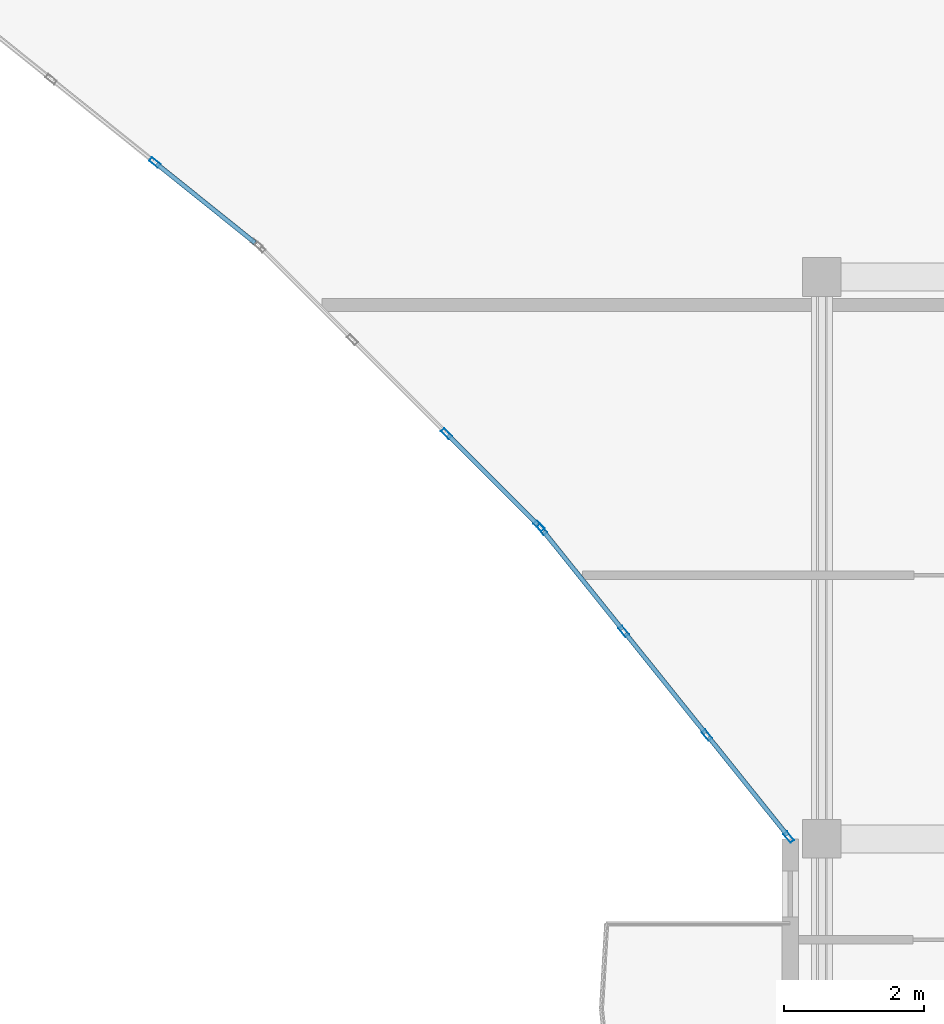
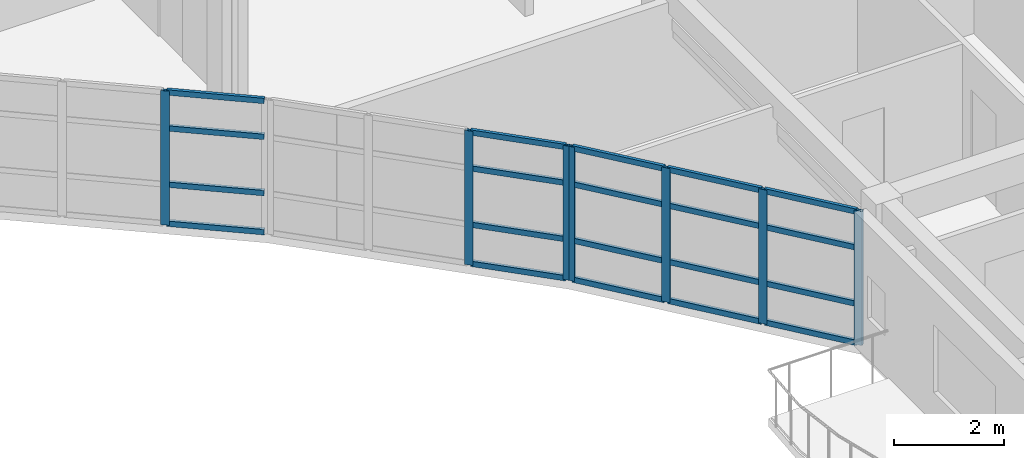
# One storey, part 16 of 54: 27 members, 3 elements without a shape of their own.
"""IFC4 building model written with IfcOpenShell, lengths in metres."""

from ifc_helpers import new_model, si_unit, direction, frame, origin, origin_2d, place, context, subcontext, project, spatial, hollow_rectangle, extrude, material, layer, layer_set, material_profile, profile_set, type_object, element, aggregate, save


model = new_model("IFC4")

# Units and contexts
model_context = context("Model", 3, precision=1e-05, world=origin(), true_north=direction((0.0, 1.0)))
body_context = subcontext(model_context, "Body", "Model", "MODEL_VIEW")
ifc_project = project(units=[si_unit("LENGTHUNIT", "METRE"), si_unit("AREAUNIT", "SQUARE_METRE"), si_unit("VOLUMEUNIT", "CUBIC_METRE"), si_unit("PLANEANGLEUNIT", "RADIAN"), si_unit("MASSUNIT", "GRAM", prefix="KILO")], contexts=[model_context])

# Site, building, storey
site_placement = place(None, origin())
site = spatial("IfcSite", under=ifc_project, at=site_placement, CompositionType="ELEMENT")
building_placement = place(site_placement, origin())
building = spatial("IfcBuilding", under=site, at=building_placement, Name="Keldmere Railside Commons", CompositionType="ELEMENT")
storey_placement = place(building_placement, frame((0.0, 0.0, 26.56005859375)))
storey = spatial("IfcBuildingStorey", under=building, at=storey_placement, Name="L08", CompositionType="ELEMENT", Elevation=26.56005859375)

# Curtain wall, member
ifc_material = material(Name="Thermally Broken Aluminium", Category="aluminium")
ifc_layer_1 = layer(ifc_material, 0.159912109375, Name="Court Chord Wintergarden CW 5400x2850")
ifc_layer_set_1 = layer_set([ifc_layer_1], Name="Thermally Broken Aluminium")
curtain_wall_type_1 = type_object("IfcCurtainWallType", Name="Court Chord Wintergarden CW 5400x2850", PredefinedType="NOTDEFINED", material=ifc_layer_set_1)
curtain_wall_1_placement = place(storey_placement, origin())
curtain_wall_1 = element("IfcCurtainWall", 1, at=curtain_wall_1_placement, inside=storey, type_object=curtain_wall_type_1, Name="CW-13 CW-L08-181", PredefinedType="NOTDEFINED")
ifc_material_profile_1 = material_profile(ifc_material, hollow_rectangle(XDim=0.06494140625, YDim=0.159912109375, WallThickness=0.00390625, at=origin_2d()), Name="ALU-MULL-65x160")
ifc_profile_set_1 = profile_set([ifc_material_profile_1], Name="Thermally Broken Aluminium")
member_type_1 = type_object("IfcMemberType", Name="Unitised Curtain Wall Mullion 65x160", PredefinedType="MULLION", material=ifc_profile_set_1)
member_1_placement = place(storey_placement, frame((158.953369140625, 97.630615234375, 0.0), z_axis=(0.0, 0.0, 1.0), x_axis=(-0.625768080915, -0.780009172323, 0.0)))
member_1 = element("IfcMember", 2, at=member_1_placement, type_object=member_type_1, Name="CW-13 mullion 2", PredefinedType="MULLION", context=body_context, shape_type="SweptSolid", body=[
    extrude(hollow_rectangle(XDim=0.06494140625, YDim=0.159912109375, WallThickness=0.00390625, at=origin_2d()), origin(), (0.0, 0.0, 1.0), 2.97998046875),
])

# Curtain wall, members
ifc_layer_2 = layer(ifc_material, 0.159912109375, Name="Court Chord Wintergarden CW 4800x2850")
ifc_layer_set_2 = layer_set([ifc_layer_2], Name="Thermally Broken Aluminium")
curtain_wall_type_2 = type_object("IfcCurtainWallType", Name="Court Chord Wintergarden CW 4800x2850", PredefinedType="NOTDEFINED", material=ifc_layer_set_2)
curtain_wall_2_placement = place(storey_placement, origin())
curtain_wall_2 = element("IfcCurtainWall", 3, at=curtain_wall_2_placement, inside=storey, type_object=curtain_wall_type_2, Name="CW-12 CW-L08-182", PredefinedType="NOTDEFINED")
member_2_placement = place(storey_placement, frame((164.423095703125, 92.452880859375, 0.0), z_axis=(0.0, 0.0, 1.0), x_axis=(-0.707106781187, -0.707106781187, 0.0)))
member_2 = element("IfcMember", 4, at=member_2_placement, type_object=member_type_1, Name="CW-12 mullion 1", PredefinedType="MULLION", context=body_context, shape_type="SweptSolid", body=[
    extrude(hollow_rectangle(XDim=0.06494140625, YDim=0.159912109375, WallThickness=0.00390625, at=origin_2d()), origin(), (0.0, 0.0, 1.0), 2.97998046875),
])
member_3_placement = place(storey_placement, frame((163.107421875, 93.7685546875, 0.0), z_axis=(0.0, 0.0, 1.0), x_axis=(-0.707106781187, -0.707106781187, 0.0)))
member_3 = element("IfcMember", 5, at=member_3_placement, type_object=member_type_1, Name="CW-12 mullion 2", PredefinedType="MULLION", context=body_context, shape_type="SweptSolid", body=[
    extrude(hollow_rectangle(XDim=0.06494140625, YDim=0.159912109375, WallThickness=0.00390625, at=origin_2d()), origin(), (0.0, 0.0, 1.0), 2.97998046875),
])

curtain_wall_3_placement = place(storey_placement, origin())
curtain_wall_3 = element("IfcCurtainWall", 6, at=curtain_wall_3_placement, inside=storey, type_object=curtain_wall_type_1, Name="CW-13 CW-L08-183", PredefinedType="NOTDEFINED")
member_4_placement = place(storey_placement, frame((167.979736328125, 88.025390625, 0.0), z_axis=(0.0, 0.0, 1.0), x_axis=(-0.780009172323, -0.625768080915, 0.0)))
member_4 = element("IfcMember", 7, at=member_4_placement, type_object=member_type_1, Name="CW-13 mullion 1", PredefinedType="MULLION", context=body_context, shape_type="SweptSolid", body=[
    extrude(hollow_rectangle(XDim=0.06494140625, YDim=0.159912109375, WallThickness=0.00390625, at=origin_2d()), origin(), (0.0, 0.0, 1.0), 2.97998046875),
])
member_5_placement = place(storey_placement, frame((166.8154296875, 89.4765625, 0.0), z_axis=(0.0, 0.0, 1.0), x_axis=(-0.780009172323, -0.625768080915, 0.0)))
member_5 = element("IfcMember", 8, at=member_5_placement, type_object=member_type_1, Name="CW-13 mullion 2", PredefinedType="MULLION", context=body_context, shape_type="SweptSolid", body=[
    extrude(hollow_rectangle(XDim=0.06494140625, YDim=0.159912109375, WallThickness=0.00390625, at=origin_2d()), origin(), (0.0, 0.0, 1.0), 2.97998046875),
])
member_6_placement = place(storey_placement, frame((165.630615234375, 90.953369140625, 0.0), z_axis=(0.0, 0.0, 1.0), x_axis=(-0.780009172323, -0.625768080915, 0.0)))
member_6 = element("IfcMember", 9, at=member_6_placement, type_object=member_type_1, Name="CW-13 mullion 3", PredefinedType="MULLION", context=body_context, shape_type="SweptSolid", body=[
    extrude(hollow_rectangle(XDim=0.06494140625, YDim=0.159912109375, WallThickness=0.00390625, at=origin_2d()), origin(), (0.0, 0.0, 1.0), 2.97998046875),
])
member_7_placement = place(storey_placement, frame((164.46630859375, 92.404541015625, 0.0), z_axis=(0.0, 0.0, 1.0), x_axis=(-0.780009172323, -0.625768080915, 0.0)))
member_7 = element("IfcMember", 10, at=member_7_placement, type_object=member_type_1, Name="CW-13 mullion 4", PredefinedType="MULLION", context=body_context, shape_type="SweptSolid", body=[
    extrude(hollow_rectangle(XDim=0.06494140625, YDim=0.159912109375, WallThickness=0.00390625, at=origin_2d()), origin(), (0.0, 0.0, 1.0), 2.97998046875),
])

# Member
ifc_material_profile_2 = material_profile(ifc_material, hollow_rectangle(XDim=0.06494140625, YDim=0.1201171875, WallThickness=0.00390625, at=origin_2d()), Name="ALU-TRAN-65x120")
ifc_profile_set_2 = profile_set([ifc_material_profile_2], Name="Thermally Broken Aluminium")
member_type_2 = type_object("IfcMemberType", Name="Unitised Curtain Wall Transom 65x120", PredefinedType="USERDEFINED", material=ifc_profile_set_2)
member_8_placement = place(storey_placement, frame((160.37939453125, 96.486572265625, 0.032470703125), z_axis=(-0.779979331565, 0.625805275091, 0.0), x_axis=(-0.625805275091, -0.779979331565, 0.0)))
member_8 = element("IfcMember", 11, at=member_8_placement, type_object=member_type_2, Name="CW-13 transom 1.1", ObjectType="TRANSOM", PredefinedType="USERDEFINED", context=body_context, shape_type="SweptSolid", body=[
    extrude(hollow_rectangle(XDim=0.06494140625, YDim=0.1201171875, WallThickness=0.00390625, at=origin_2d()), origin(), (0.0, 0.0, 1.0), 1.795654296875),
])

member_9_placement = place(storey_placement, frame((160.37939453125, 96.486572265625, 0.89990234375), z_axis=(-0.779979331565, 0.625805275091, 0.0), x_axis=(-0.625805275091, -0.779979331565, 0.0)))
member_9 = element("IfcMember", 12, at=member_9_placement, type_object=member_type_2, Name="CW-13 transom 1.2", ObjectType="TRANSOM", PredefinedType="USERDEFINED", context=body_context, shape_type="SweptSolid", body=[
    extrude(hollow_rectangle(XDim=0.06494140625, YDim=0.1201171875, WallThickness=0.00390625, at=origin_2d()), origin(), (0.0, 0.0, 1.0), 1.795654296875),
])

member_10_placement = place(storey_placement, frame((160.37939453125, 96.486572265625, 2.14990234375), z_axis=(-0.779979331565, 0.625805275091, 0.0), x_axis=(-0.625805275091, -0.779979331565, 0.0)))
member_10 = element("IfcMember", 13, at=member_10_placement, type_object=member_type_2, Name="CW-13 transom 1.3", ObjectType="TRANSOM", PredefinedType="USERDEFINED", context=body_context, shape_type="SweptSolid", body=[
    extrude(hollow_rectangle(XDim=0.06494140625, YDim=0.1201171875, WallThickness=0.00390625, at=origin_2d()), origin(), (0.0, 0.0, 1.0), 1.795654296875),
])

member_11_placement = place(storey_placement, frame((160.37939453125, 96.486572265625, 2.947509765625), z_axis=(-0.779979331565, 0.625805275091, 0.0), x_axis=(-0.625805275091, -0.779979331565, 0.0)))
member_11 = element("IfcMember", 14, at=member_11_placement, type_object=member_type_2, Name="CW-13 transom 1.4", ObjectType="TRANSOM", PredefinedType="USERDEFINED", context=body_context, shape_type="SweptSolid", body=[
    extrude(hollow_rectangle(XDim=0.06494140625, YDim=0.1201171875, WallThickness=0.00390625, at=origin_2d()), origin(), (0.0, 0.0, 1.0), 1.795654296875),
])

aggregate(curtain_wall_1, [member_1, member_8, member_9, member_10, member_11])

member_12_placement = place(storey_placement, frame((164.400146484375, 92.47607421875, 0.032470703125), z_axis=(-0.707174762418, 0.707038793419, 0.0), x_axis=(-0.707038793419, -0.707174762418, 0.0)))
member_12 = element("IfcMember", 15, at=member_12_placement, type_object=member_type_2, Name="CW-12 transom 1.1", ObjectType="TRANSOM", PredefinedType="USERDEFINED", context=body_context, shape_type="SweptSolid", body=[
    extrude(hollow_rectangle(XDim=0.06494140625, YDim=0.1201171875, WallThickness=0.00390625, at=origin_2d()), origin(), (0.0, 0.0, 1.0), 1.795654296875),
])

member_13_placement = place(storey_placement, frame((164.400146484375, 92.47607421875, 0.89990234375), z_axis=(-0.707174762418, 0.707038793419, 0.0), x_axis=(-0.707038793419, -0.707174762418, 0.0)))
member_13 = element("IfcMember", 16, at=member_13_placement, type_object=member_type_2, Name="CW-12 transom 1.2", ObjectType="TRANSOM", PredefinedType="USERDEFINED", context=body_context, shape_type="SweptSolid", body=[
    extrude(hollow_rectangle(XDim=0.06494140625, YDim=0.1201171875, WallThickness=0.00390625, at=origin_2d()), origin(), (0.0, 0.0, 1.0), 1.795654296875),
])

member_14_placement = place(storey_placement, frame((164.400146484375, 92.47607421875, 2.14990234375), z_axis=(-0.707174762418, 0.707038793419, 0.0), x_axis=(-0.707038793419, -0.707174762418, 0.0)))
member_14 = element("IfcMember", 17, at=member_14_placement, type_object=member_type_2, Name="CW-12 transom 1.3", ObjectType="TRANSOM", PredefinedType="USERDEFINED", context=body_context, shape_type="SweptSolid", body=[
    extrude(hollow_rectangle(XDim=0.06494140625, YDim=0.1201171875, WallThickness=0.00390625, at=origin_2d()), origin(), (0.0, 0.0, 1.0), 1.795654296875),
])

member_15_placement = place(storey_placement, frame((164.400146484375, 92.47607421875, 2.947509765625), z_axis=(-0.707174762418, 0.707038793419, 0.0), x_axis=(-0.707038793419, -0.707174762418, 0.0)))
member_15 = element("IfcMember", 18, at=member_15_placement, type_object=member_type_2, Name="CW-12 transom 1.4", ObjectType="TRANSOM", PredefinedType="USERDEFINED", context=body_context, shape_type="SweptSolid", body=[
    extrude(hollow_rectangle(XDim=0.06494140625, YDim=0.1201171875, WallThickness=0.00390625, at=origin_2d()), origin(), (0.0, 0.0, 1.0), 1.795654296875),
])

aggregate(curtain_wall_2, [member_2, member_3, member_12, member_13, member_14, member_15])

member_16_placement = place(storey_placement, frame((167.959228515625, 88.05078125, 0.032470703125), z_axis=(-0.625722553313, 0.780045694992, 0.0), x_axis=(-0.780045694992, -0.625722553313, 0.0)))
member_16 = element("IfcMember", 19, at=member_16_placement, type_object=member_type_2, Name="CW-13 transom 1.1", ObjectType="TRANSOM", PredefinedType="USERDEFINED", context=body_context, shape_type="SweptSolid", body=[
    extrude(hollow_rectangle(XDim=0.06494140625, YDim=0.1201171875, WallThickness=0.00390625, at=origin_2d()), origin(), (0.0, 0.0, 1.0), 1.795654296875),
])

member_17_placement = place(storey_placement, frame((167.959228515625, 88.05078125, 0.89990234375), z_axis=(-0.625722553313, 0.780045694992, 0.0), x_axis=(-0.780045694992, -0.625722553313, 0.0)))
member_17 = element("IfcMember", 20, at=member_17_placement, type_object=member_type_2, Name="CW-13 transom 1.2", ObjectType="TRANSOM", PredefinedType="USERDEFINED", context=body_context, shape_type="SweptSolid", body=[
    extrude(hollow_rectangle(XDim=0.06494140625, YDim=0.1201171875, WallThickness=0.00390625, at=origin_2d()), origin(), (0.0, 0.0, 1.0), 1.795654296875),
])

member_18_placement = place(storey_placement, frame((167.959228515625, 88.05078125, 2.14990234375), z_axis=(-0.625722553313, 0.780045694992, 0.0), x_axis=(-0.780045694992, -0.625722553313, 0.0)))
member_18 = element("IfcMember", 21, at=member_18_placement, type_object=member_type_2, Name="CW-13 transom 1.3", ObjectType="TRANSOM", PredefinedType="USERDEFINED", context=body_context, shape_type="SweptSolid", body=[
    extrude(hollow_rectangle(XDim=0.06494140625, YDim=0.1201171875, WallThickness=0.00390625, at=origin_2d()), origin(), (0.0, 0.0, 1.0), 1.795654296875),
])

member_19_placement = place(storey_placement, frame((167.959228515625, 88.05078125, 2.947509765625), z_axis=(-0.625722553313, 0.780045694992, 0.0), x_axis=(-0.780045694992, -0.625722553313, 0.0)))
member_19 = element("IfcMember", 22, at=member_19_placement, type_object=member_type_2, Name="CW-13 transom 1.4", ObjectType="TRANSOM", PredefinedType="USERDEFINED", context=body_context, shape_type="SweptSolid", body=[
    extrude(hollow_rectangle(XDim=0.06494140625, YDim=0.1201171875, WallThickness=0.00390625, at=origin_2d()), origin(), (0.0, 0.0, 1.0), 1.795654296875),
])

member_20_placement = place(storey_placement, frame((166.794921875, 89.501953125, 0.032470703125), z_axis=(-0.625688033635, 0.78007338409, 0.0), x_axis=(-0.78007338409, -0.625688033635, 0.0)))
member_20 = element("IfcMember", 23, at=member_20_placement, type_object=member_type_2, Name="CW-13 transom 2.1", ObjectType="TRANSOM", PredefinedType="USERDEFINED", context=body_context, shape_type="SweptSolid", body=[
    extrude(hollow_rectangle(XDim=0.06494140625, YDim=0.1201171875, WallThickness=0.00390625, at=origin_2d()), origin(), (0.0, 0.0, 1.0), 1.828125),
])

member_21_placement = place(storey_placement, frame((166.794921875, 89.501953125, 0.89990234375), z_axis=(-0.625688033635, 0.78007338409, 0.0), x_axis=(-0.78007338409, -0.625688033635, 0.0)))
member_21 = element("IfcMember", 24, at=member_21_placement, type_object=member_type_2, Name="CW-13 transom 2.2", ObjectType="TRANSOM", PredefinedType="USERDEFINED", context=body_context, shape_type="SweptSolid", body=[
    extrude(hollow_rectangle(XDim=0.06494140625, YDim=0.1201171875, WallThickness=0.00390625, at=origin_2d()), origin(), (0.0, 0.0, 1.0), 1.828125),
])

member_22_placement = place(storey_placement, frame((166.794921875, 89.501953125, 2.14990234375), z_axis=(-0.625688033635, 0.78007338409, 0.0), x_axis=(-0.78007338409, -0.625688033635, 0.0)))
member_22 = element("IfcMember", 25, at=member_22_placement, type_object=member_type_2, Name="CW-13 transom 2.3", ObjectType="TRANSOM", PredefinedType="USERDEFINED", context=body_context, shape_type="SweptSolid", body=[
    extrude(hollow_rectangle(XDim=0.06494140625, YDim=0.1201171875, WallThickness=0.00390625, at=origin_2d()), origin(), (0.0, 0.0, 1.0), 1.828125),
])

member_23_placement = place(storey_placement, frame((166.794921875, 89.501953125, 2.947509765625), z_axis=(-0.625688033635, 0.78007338409, 0.0), x_axis=(-0.78007338409, -0.625688033635, 0.0)))
member_23 = element("IfcMember", 26, at=member_23_placement, type_object=member_type_2, Name="CW-13 transom 2.4", ObjectType="TRANSOM", PredefinedType="USERDEFINED", context=body_context, shape_type="SweptSolid", body=[
    extrude(hollow_rectangle(XDim=0.06494140625, YDim=0.1201171875, WallThickness=0.00390625, at=origin_2d()), origin(), (0.0, 0.0, 1.0), 1.828125),
])

member_24_placement = place(storey_placement, frame((165.6103515625, 90.978759765625, 0.032470703125), z_axis=(-0.625805275091, 0.779979331565, 0.0), x_axis=(-0.779979331565, -0.625805275091, 0.0)))
member_24 = element("IfcMember", 27, at=member_24_placement, type_object=member_type_2, Name="CW-13 transom 3.1", ObjectType="TRANSOM", PredefinedType="USERDEFINED", context=body_context, shape_type="SweptSolid", body=[
    extrude(hollow_rectangle(XDim=0.06494140625, YDim=0.1201171875, WallThickness=0.00390625, at=origin_2d()), origin(), (0.0, 0.0, 1.0), 1.795654296875),
])

member_25_placement = place(storey_placement, frame((165.6103515625, 90.978759765625, 0.89990234375), z_axis=(-0.625805275091, 0.779979331565, 0.0), x_axis=(-0.779979331565, -0.625805275091, 0.0)))
member_25 = element("IfcMember", 28, at=member_25_placement, type_object=member_type_2, Name="CW-13 transom 3.2", ObjectType="TRANSOM", PredefinedType="USERDEFINED", context=body_context, shape_type="SweptSolid", body=[
    extrude(hollow_rectangle(XDim=0.06494140625, YDim=0.1201171875, WallThickness=0.00390625, at=origin_2d()), origin(), (0.0, 0.0, 1.0), 1.795654296875),
])

member_26_placement = place(storey_placement, frame((165.6103515625, 90.978759765625, 2.14990234375), z_axis=(-0.625805275091, 0.779979331565, 0.0), x_axis=(-0.779979331565, -0.625805275091, 0.0)))
member_26 = element("IfcMember", 29, at=member_26_placement, type_object=member_type_2, Name="CW-13 transom 3.3", ObjectType="TRANSOM", PredefinedType="USERDEFINED", context=body_context, shape_type="SweptSolid", body=[
    extrude(hollow_rectangle(XDim=0.06494140625, YDim=0.1201171875, WallThickness=0.00390625, at=origin_2d()), origin(), (0.0, 0.0, 1.0), 1.795654296875),
])

member_27_placement = place(storey_placement, frame((165.6103515625, 90.978759765625, 2.947509765625), z_axis=(-0.625805275091, 0.779979331565, 0.0), x_axis=(-0.779979331565, -0.625805275091, 0.0)))
member_27 = element("IfcMember", 30, at=member_27_placement, type_object=member_type_2, Name="CW-13 transom 3.4", ObjectType="TRANSOM", PredefinedType="USERDEFINED", context=body_context, shape_type="SweptSolid", body=[
    extrude(hollow_rectangle(XDim=0.06494140625, YDim=0.1201171875, WallThickness=0.00390625, at=origin_2d()), origin(), (0.0, 0.0, 1.0), 1.795654296875),
])

aggregate(curtain_wall_3, [member_4, member_5, member_6, member_7, member_16, member_17, member_18, member_19, member_20, member_21, member_22, member_23, member_24, member_25, member_26, member_27])

save(model, "model.ifc")
